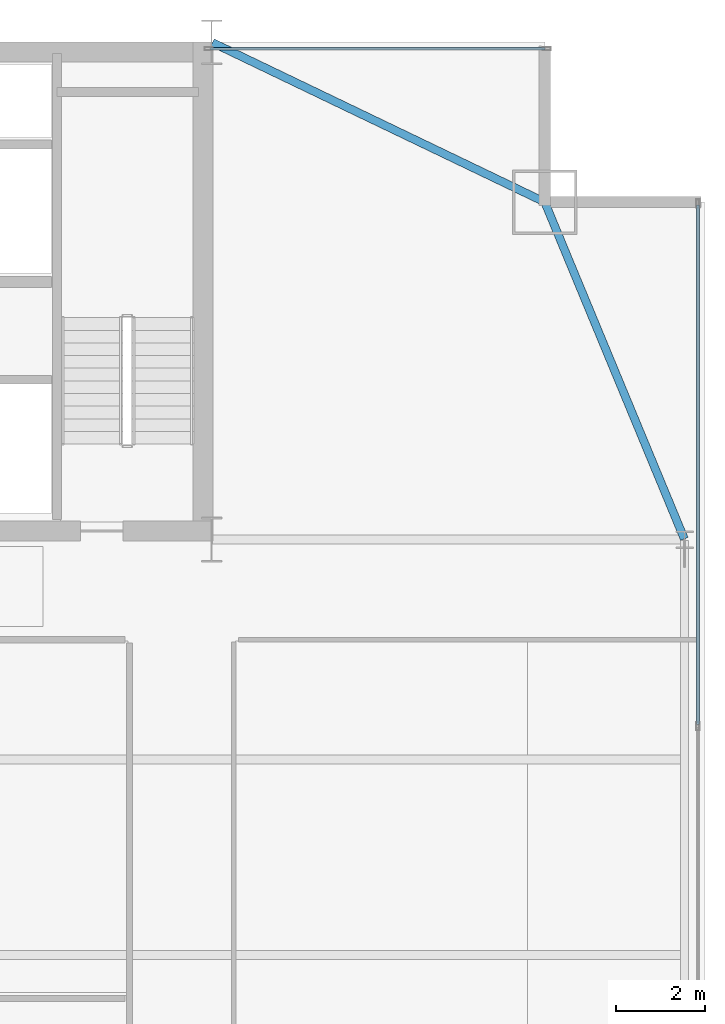
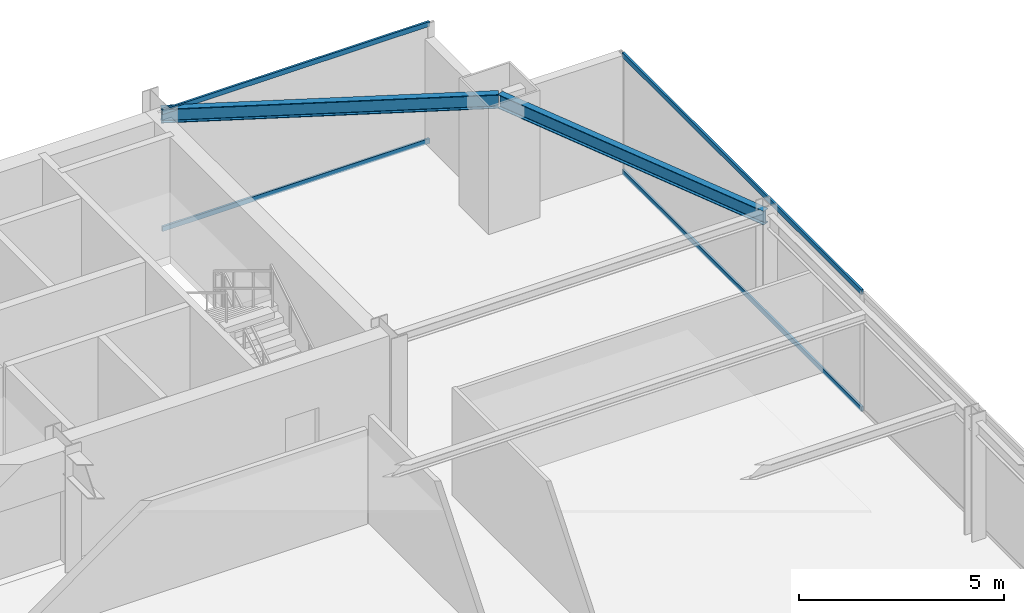
# One storey, part 25 of 36: 4 members, 2 beams, 2 elements without a shape of their own.
"""IFC4 building model written with IfcOpenShell, lengths in metres."""

import ifcopenshell
import ifcopenshell.guid

model = None  # the IFC model being written
_history = None  # IfcOwnerHistory: only IFC2X3 demands one
_inside = {}  # id of a spatial element -> (the spatial element, [elements in it])
_under = {}  # id of a project, library or spatial element -> (it, [spatial elements below it])
_declared = {}  # id of a project -> (the project, [libraries it declares])
_typed = {}  # id of a type object -> (the type object, [elements of that type])
_made_of = {}  # id of a material, layer set ... -> (it, [elements and type objects made of it])


def new_model(schema):
    """Start an empty IFC model of exactly this schema.

    Asked for "IFC4X3", IfcOpenShell would pick the latest addendum, in which some entities
    have other attributes; the version numbers below select the first issue.
    IFC2X3 requires an IfcOwnerHistory on every rooted entity: one is made here for all.
    """
    global model, _history
    if schema == "IFC4X3":
        model = ifcopenshell.file(schema_version=(4, 3, 0, 0))
    else:
        model = ifcopenshell.file(schema=schema)
    _inside.clear()
    _under.clear()
    _declared.clear()
    _typed.clear()
    _made_of.clear()
    _history = None
    if model.schema == "IFC2X3":
        org = make("IfcOrganization", Name="unknown")
        user = make(
            "IfcPersonAndOrganization",
            ThePerson=make("IfcPerson", FamilyName="unknown"),
            TheOrganization=org,
        )
        app = make(
            "IfcApplication",
            ApplicationDeveloper=org,
            Version="unknown",
            ApplicationFullName="unknown",
            ApplicationIdentifier="unknown",
        )
        _history = make(
            "IfcOwnerHistory",
            OwningUser=user,
            OwningApplication=app,
            ChangeAction="ADDED",
            CreationDate=0,
        )
    return model


def make(cls, **values):
    """One entity of the class cls with the attributes given. An attribute that is None is left unset."""
    return model.create_entity(
        cls, **{name: value for name, value in values.items() if value is not None}
    )


def rooted(cls, **values):
    """An entity with a GlobalId (a new one), such as an element, a storey or a relation."""
    return make(cls, GlobalId=ifcopenshell.guid.new(), OwnerHistory=_history, **values)


def si_unit(unit_type, name, prefix=None):
    """IfcSIUnit, for example si_unit("LENGTHUNIT", "METRE", prefix="MILLI")."""
    return make("IfcSIUnit", UnitType=unit_type, Prefix=prefix, Name=name)


def assignment(units):
    """IfcUnitAssignment: the units of a project."""
    return None if units is None else make("IfcUnitAssignment", Units=units)


def point(xyz):
    """IfcCartesianPoint."""
    return None if xyz is None else make("IfcCartesianPoint", Coordinates=xyz)


def direction(xyz):
    """IfcDirection."""
    return None if xyz is None else make("IfcDirection", DirectionRatios=xyz)


def frame(location, z_axis=None, x_axis=None):
    """IfcAxis2Placement3D, a coordinate frame: its origin and axes. An axis left out is left unset."""
    return make(
        "IfcAxis2Placement3D",
        Location=point(location),
        Axis=direction(z_axis),
        RefDirection=direction(x_axis),
    )


def frame_2d(location, x_axis=None):
    """IfcAxis2Placement2D, a coordinate frame in the plane: its origin and x axis."""
    return make(
        "IfcAxis2Placement2D", Location=point(location), RefDirection=direction(x_axis)
    )


def origin():
    """The frame at (0, 0, 0) with its axes left unset."""
    return frame((0.0, 0.0, 0.0))


def origin_2d():
    """The frame at (0, 0) in the plane with its x axis left unset."""
    return frame_2d((0.0, 0.0))


def place(relative_to, where):
    """IfcLocalPlacement: puts the frame where relative to a parent placement (None: the world)."""
    return make(
        "IfcLocalPlacement", PlacementRelTo=relative_to, RelativePlacement=where
    )


def context(
    kind, dimensions, precision=None, world=None, true_north=None, identifier=None
):
    """IfcGeometricRepresentationContext, for example the 3D "Model" context."""
    return make(
        "IfcGeometricRepresentationContext",
        ContextIdentifier=identifier,
        ContextType=kind,
        CoordinateSpaceDimension=dimensions,
        Precision=precision,
        WorldCoordinateSystem=world,
        TrueNorth=true_north,
    )


def subcontext(parent, identifier, kind, view, scale=None):
    """IfcGeometricRepresentationSubContext, for example "Body" below "Model"."""
    return make(
        "IfcGeometricRepresentationSubContext",
        ContextIdentifier=identifier,
        ContextType=kind,
        ParentContext=parent,
        TargetScale=scale,
        TargetView=view,
    )


def project(units=None, contexts=None):
    """IfcProject with its units and contexts."""
    return rooted(
        "IfcProject",
        Name="project",
        RepresentationContexts=contexts,
        UnitsInContext=assignment(units),
    )


def spatial(cls, under=None, at=None, **own):
    """A site, building, storey or space (cls), placed at a placement, below another one or the project."""
    s = rooted(cls, ObjectPlacement=at, **own)
    if under is not None:
        _under.setdefault(under.id(), (under, []))[1].append(s)
    return s


def profile(cls, at=None, kind="AREA", **sizes):
    """A parametric profile (cls). Its sizes go by their IFC names, for example OverallWidth=200.0."""
    return make(cls, ProfileType=kind, Position=at, **sizes)


def hollow_rectangle(**sizes):
    """IfcRectangleHollowProfileDef."""
    return profile("IfcRectangleHollowProfileDef", **sizes)


def i_section(**sizes):
    """IfcIShapeProfileDef."""
    return profile("IfcIShapeProfileDef", **sizes)


def extrude(swept, where, along, depth):
    """IfcExtrudedAreaSolid: the profile swept, set in the frame where, extruded along a direction by depth."""
    return make(
        "IfcExtrudedAreaSolid",
        SweptArea=swept,
        Position=where,
        ExtrudedDirection=direction(along),
        Depth=depth,
    )


def shape(context_of_items, identifier, shape_type, items):
    """IfcShapeRepresentation: the items that make up one representation, for example the "Body"."""
    return make(
        "IfcShapeRepresentation",
        ContextOfItems=context_of_items,
        RepresentationIdentifier=identifier,
        RepresentationType=shape_type,
        Items=items,
    )


def source(mapping_origin, context_of_items, identifier, shape_type, items):
    """IfcRepresentationMap: a shape defined once, which mapped items show again and again."""
    return make(
        "IfcRepresentationMap",
        MappingOrigin=mapping_origin,
        MappedRepresentation=shape(context_of_items, identifier, shape_type, items),
    )


def transform(
    local_origin,
    x_axis=None,
    y_axis=None,
    z_axis=None,
    scale=None,
    scale2=None,
    scale3=None,
    uniform=True,
):
    """IfcCartesianTransformationOperator3D, or its non-uniform kind. x_axis, y_axis, z_axis: its Axis1, 2, 3."""
    if uniform:
        return make(
            "IfcCartesianTransformationOperator3D",
            Axis1=direction(x_axis),
            Axis2=direction(y_axis),
            LocalOrigin=point(local_origin),
            Scale=scale,
            Axis3=direction(z_axis),
        )
    return make(
        "IfcCartesianTransformationOperator3DnonUniform",
        Axis1=direction(x_axis),
        Axis2=direction(y_axis),
        LocalOrigin=point(local_origin),
        Scale=scale,
        Axis3=direction(z_axis),
        Scale2=scale2,
        Scale3=scale3,
    )


def mapped(mapping_source, mapping_target):
    """IfcMappedItem: shows the shape of a source again, moved by a transform."""
    return make(
        "IfcMappedItem", MappingSource=mapping_source, MappingTarget=mapping_target
    )


def material(Name=None, Category=None):
    """IfcMaterial."""
    return make("IfcMaterial", Name=Name, Category=Category)


def layer(
    of_material, thickness, ventilated=None, Name=None, Category=None, Priority=None
):
    """IfcMaterialLayer: one layer of a wall or slab, of a material (None: an air gap)."""
    return make(
        "IfcMaterialLayer",
        Material=of_material,
        LayerThickness=thickness,
        IsVentilated=ventilated,
        Name=Name,
        Category=Category,
        Priority=Priority,
    )


def layer_set(layers, Name=None):
    """IfcMaterialLayerSet."""
    return make("IfcMaterialLayerSet", MaterialLayers=layers, LayerSetName=Name)


def material_profile(
    of_material, cross_section, Name=None, Category=None, Priority=None
):
    """IfcMaterialProfile: a cross section and its material."""
    return make(
        "IfcMaterialProfile",
        Name=Name,
        Material=of_material,
        Profile=cross_section,
        Priority=Priority,
        Category=Category,
    )


def profile_set(profiles, Name=None, composite=None):
    """IfcMaterialProfileSet."""
    return make(
        "IfcMaterialProfileSet",
        Name=Name,
        MaterialProfiles=profiles,
        CompositeProfile=composite,
    )


def made_of(thing, what):
    """Note that an element or type object is made of a material, layer set ...; save() writes the relation."""
    if what is not None:
        _made_of.setdefault(what.id(), (what, []))[1].append(thing)
    return thing


def type_object(cls, material=None, **own):
    """A type object (cls), such as IfcWallType, which elements share."""
    return made_of(rooted(cls, **own), material)


def type_shapes(of_type, sources):
    """Give a type object the sources (RepresentationMaps) that its elements show as mapped items."""
    of_type.RepresentationMaps = sources


def element(
    cls,
    number,
    at=None,
    inside=None,
    cuts=None,
    type_object=None,
    material=None,
    context=None,
    identifier="Body",
    shape_type=None,
    held_by="IfcProductDefinitionShape",
    body=None,
    shapes=None,
    **own,
):
    """One element of the class cls, such as IfcWall. Its Tag is "e" and its number.

    at: its placement. inside: the storey or other place that contains it. cuts: it is an
    opening in that element (IfcRelVoidsElement). A single representation is given by context,
    identifier, shape_type and body (its items); several are given by shapes. held_by: the class
    of the entity that holds the representations. save() writes the other relations.
    """
    e = rooted(cls, Tag="e%d" % number, ObjectPlacement=at, **own)
    if body is not None:
        shapes = [shape(context, identifier, shape_type, body)]
    if shapes is not None:
        e.Representation = make(held_by, Representations=shapes)
    if inside is not None:
        _inside.setdefault(inside.id(), (inside, []))[1].append(e)
    if cuts is not None:
        rooted(
            "IfcRelVoidsElement", RelatingBuildingElement=cuts, RelatedOpeningElement=e
        )
    if type_object is not None:
        _typed.setdefault(type_object.id(), (type_object, []))[1].append(e)
    return made_of(e, material)


def aggregate(whole, parts):
    """IfcRelAggregates: a whole, such as a stair, and the parts it consists of."""
    return rooted("IfcRelAggregates", RelatingObject=whole, RelatedObjects=parts)


def save(model, path):
    """Write the relations noted so far, then the file.

    IfcRelAggregates (storeys below a building ...), IfcRelContainedInSpatialStructure (elements
    in a storey), IfcRelDefinesByType, IfcRelAssociatesMaterial and IfcRelDeclares: one each for
    every whole, place, type object, material and project.
    """
    for whole, parts in _under.values():
        aggregate(whole, parts)
    for where, things in _inside.values():
        rooted(
            "IfcRelContainedInSpatialStructure",
            RelatedElements=things,
            RelatingStructure=where,
        )
    for kind, things in _typed.values():
        rooted("IfcRelDefinesByType", RelatedObjects=things, RelatingType=kind)
    for what, things in _made_of.values():
        rooted("IfcRelAssociatesMaterial", RelatedObjects=things, RelatingMaterial=what)
    for by, libraries in _declared.values():
        rooted("IfcRelDeclares", RelatingContext=by, RelatedDefinitions=libraries)
    model.write(path)


model = new_model("IFC4")

# Units and contexts
model_context = context("Model", 3, precision=1e-05, world=origin(), true_north=direction((0.0, 1.0)))
body_context = subcontext(model_context, "Body", "Model", "MODEL_VIEW")
ifc_project = project(units=[si_unit("LENGTHUNIT", "METRE"), si_unit("AREAUNIT", "SQUARE_METRE"), si_unit("VOLUMEUNIT", "CUBIC_METRE"), si_unit("PLANEANGLEUNIT", "RADIAN"), si_unit("MASSUNIT", "GRAM", prefix="KILO")], contexts=[model_context])

# Site, building, storey
site_placement = place(None, origin())
site = spatial("IfcSite", under=ifc_project, at=site_placement, CompositionType="ELEMENT")
building_placement = place(site_placement, origin())
building = spatial("IfcBuilding", under=site, at=building_placement, Name="Varnel Quay Broadcast Tower", CompositionType="ELEMENT")
storey_placement = place(building_placement, frame((0.0, 0.0, 114.39990234375)))
storey = spatial("IfcBuildingStorey", under=building, at=storey_placement, Name="L27", CompositionType="ELEMENT", Elevation=114.39990234375)

# Beams
ifc_material_1 = material(Name="Structural Steel CSA G40.21 350W", Category="steel")
ifc_material_profile_1 = material_profile(ifc_material_1, i_section(OverallWidth=0.180908203125, OverallDepth=0.4169921875, WebThickness=0.010986328125, FlangeThickness=0.018310546875, FilletRadius=0.011962890625, at=origin_2d()), Name="W410X85")
ifc_profile_set_1 = profile_set([ifc_material_profile_1], Name="Structural Steel CSA G40.21 350W")
beam_type = type_object("IfcBeamType", Name="Beam_W410X85", PredefinedType="SPANDREL", material=ifc_profile_set_1)
shared_shape_1 = source(origin(), body_context, "Body", "SweptSolid", [
    extrude(i_section(OverallWidth=0.180908203125, OverallDepth=0.4169921875, WebThickness=0.010986328125, FlangeThickness=0.018310546875, FilletRadius=0.011962890625, at=origin_2d()), origin(), (0.0, 0.0, 1.0), 8.186767578125),
])
beam_1_placement = place(storey_placement, frame((63.042236328125, 35.618408203125, 3.341552734375), z_axis=(-0.382874132092, 0.923800519038, 0.0), x_axis=(-0.923800519038, -0.382874132092, 0.0)))
element("IfcBeam", 1, at=beam_1_placement, inside=storey, type_object=beam_type, Name="L27 East Spandrel TC-E3-MC-NE", PredefinedType="SPANDREL", context=body_context, shape_type="MappedRepresentation", body=[
    mapped(shared_shape_1, transform((0.0, 0.0, 0.0), x_axis=(1.0, 0.0, 0.0), y_axis=(0.0, 1.0, 0.0), z_axis=(0.0, 0.0, 1.0), scale=1.0)),
])
shared_shape_2 = source(origin(), body_context, "Body", "SweptSolid", [
    extrude(i_section(OverallWidth=0.180908203125, OverallDepth=0.4169921875, WebThickness=0.010986328125, FlangeThickness=0.018310546875, FilletRadius=0.011962890625, at=origin_2d()), origin(), (0.0, 0.0, 1.0), 8.279296875),
])
type_shapes(beam_type, [shared_shape_1, shared_shape_2])
beam_2_placement = place(storey_placement, frame((52.41796875, 46.791259765625, 3.341552734375), z_axis=(0.901535021024, -0.432706142626, 0.0), x_axis=(0.432706142626, 0.901535021024, 0.0)))
element("IfcBeam", 2, at=beam_2_placement, inside=storey, type_object=beam_type, Name="L27 NE Tie Spandrel", PredefinedType="SPANDREL", context=body_context, shape_type="MappedRepresentation", body=[
    mapped(shared_shape_2, transform((0.0, 0.0, 0.0), x_axis=(1.0, 0.0, 0.0), y_axis=(0.0, 1.0, 0.0), z_axis=(0.0, 0.0, 1.0), scale=1.0)),
])

# Curtain wall, members
ifc_material_2 = material(Name="Anodised Bronze Aluminium 6063-T6", Category="aluminium")
ifc_layer = layer(ifc_material_2, 0.18994140625, Name="Anodised Bronze Aluminium 6063-T6")
ifc_layer_set = layer_set([ifc_layer], Name="Anodised Bronze Aluminium 6063-T6")
curtain_wall_type = type_object("IfcCurtainWallType", Name="CW_LowerTower", PredefinedType="NOTDEFINED", material=ifc_layer_set)
curtain_wall_1_placement = place(storey_placement, origin())
curtain_wall_1 = element("IfcCurtainWall", 3, at=curtain_wall_1_placement, inside=storey, type_object=curtain_wall_type, Name="L27 East Unitised Curtain Wall", PredefinedType="NOTDEFINED")
ifc_material_profile_2 = material_profile(ifc_material_2, hollow_rectangle(XDim=0.06005859375, YDim=0.14501953125, WallThickness=0.00341796875, at=origin_2d()), Name="ALU60X145X3.5")
ifc_profile_set_2 = profile_set([ifc_material_profile_2], Name="Anodised Bronze Aluminium 6063-T6")
member_type = type_object("IfcMemberType", Name="Tran_CWS-02", PredefinedType="USERDEFINED", material=ifc_profile_set_2)
shared_shape_3 = source(origin(), body_context, "Body", "SweptSolid", [
    extrude(hollow_rectangle(XDim=0.06005859375, YDim=0.14501953125, WallThickness=0.00341796875, at=origin_2d()), origin(), (0.0, 0.0, 1.0), 11.69482421875),
])
member_1_placement = place(storey_placement, frame((63.35009765625, 31.43505859375, 0.030029296875), z_axis=(0.0, 1.0, 0.0), x_axis=(-1.0, 0.0, 0.0)))
member_1 = element("IfcMember", 4, at=member_1_placement, type_object=member_type, Name="CWS-02 transom 3.1", ObjectType="TRANSOM", PredefinedType="USERDEFINED", context=body_context, shape_type="MappedRepresentation", body=[
    mapped(shared_shape_3, transform((0.0, 0.0, 0.0), x_axis=(1.0, 0.0, 0.0), y_axis=(0.0, 1.0, 0.0), z_axis=(0.0, 0.0, 1.0), scale=1.0)),
])
member_2_placement = place(storey_placement, frame((63.35009765625, 31.43505859375, 3.52001953125), z_axis=(0.0, 1.0, 0.0), x_axis=(-1.0, 0.0, 0.0)))
member_2 = element("IfcMember", 5, at=member_2_placement, type_object=member_type, Name="CWS-02 transom 3.2", ObjectType="TRANSOM", PredefinedType="USERDEFINED", context=body_context, shape_type="MappedRepresentation", body=[
    mapped(shared_shape_3, transform((0.0, 0.0, 0.0), x_axis=(1.0, 0.0, 0.0), y_axis=(0.0, 1.0, 0.0), z_axis=(0.0, 0.0, 1.0), scale=1.0)),
])
aggregate(curtain_wall_1, [member_1, member_2])

curtain_wall_2_placement = place(storey_placement, origin())
curtain_wall_2 = element("IfcCurtainWall", 6, at=curtain_wall_2_placement, inside=storey, type_object=curtain_wall_type, Name="L27 NE Wing Curtain Wall", PredefinedType="NOTDEFINED")
shared_shape_4 = source(origin(), body_context, "Body", "SweptSolid", [
    extrude(hollow_rectangle(XDim=0.06005859375, YDim=0.14501953125, WallThickness=0.00341796875, at=origin_2d()), origin(), (0.0, 0.0, 1.0), 7.539794921875),
])
type_shapes(member_type, [shared_shape_3, shared_shape_4])
member_3_placement = place(storey_placement, frame((52.3701171875, 46.64990234375, 0.030029296875), z_axis=(1.0, 0.0, 0.0), x_axis=(0.0, 1.0, 0.0)))
member_3 = element("IfcMember", 7, at=member_3_placement, type_object=member_type, Name="CWS-02 transom 1.1", ObjectType="TRANSOM", PredefinedType="USERDEFINED", context=body_context, shape_type="MappedRepresentation", body=[
    mapped(shared_shape_4, transform((0.0, 0.0, 0.0), x_axis=(1.0, 0.0, 0.0), y_axis=(0.0, 1.0, 0.0), z_axis=(0.0, 0.0, 1.0), scale=1.0)),
])
member_4_placement = place(storey_placement, frame((52.3701171875, 46.64990234375, 3.52001953125), z_axis=(1.0, 0.0, 0.0), x_axis=(0.0, 1.0, 0.0)))
member_4 = element("IfcMember", 8, at=member_4_placement, type_object=member_type, Name="CWS-02 transom 1.2", ObjectType="TRANSOM", PredefinedType="USERDEFINED", context=body_context, shape_type="MappedRepresentation", body=[
    mapped(shared_shape_4, transform((0.0, 0.0, 0.0), x_axis=(1.0, 0.0, 0.0), y_axis=(0.0, 1.0, 0.0), z_axis=(0.0, 0.0, 1.0), scale=1.0)),
])
aggregate(curtain_wall_2, [member_3, member_4])

save(model, "model.ifc")
